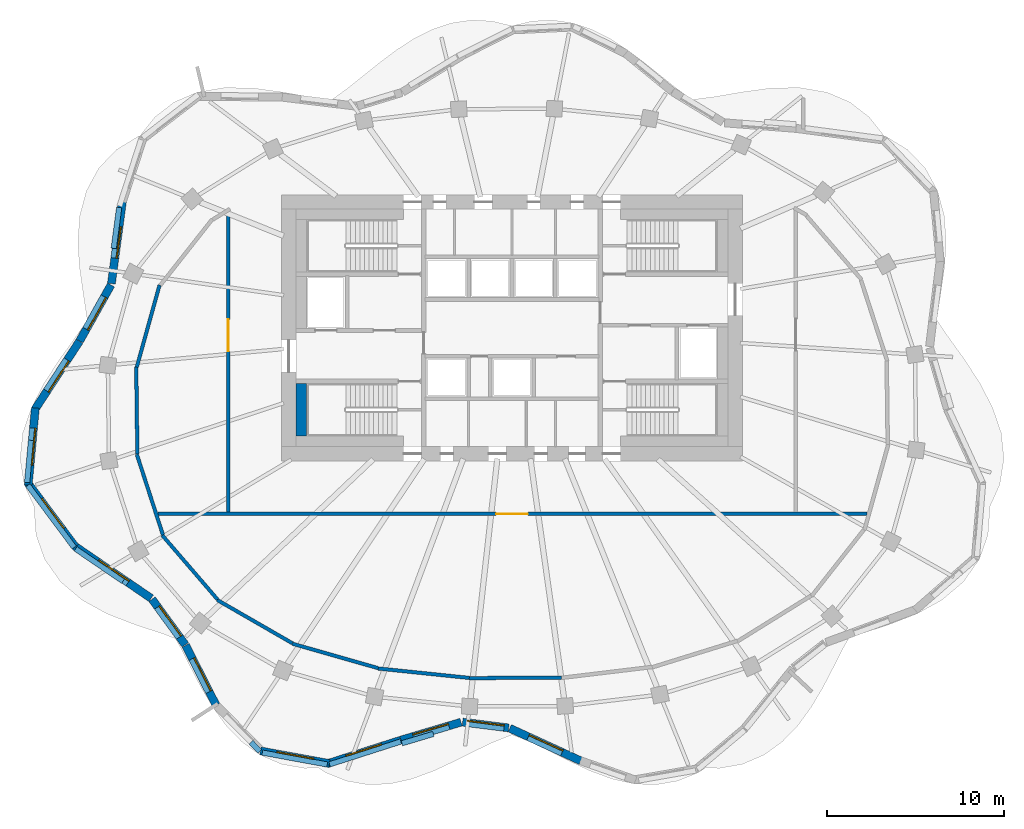
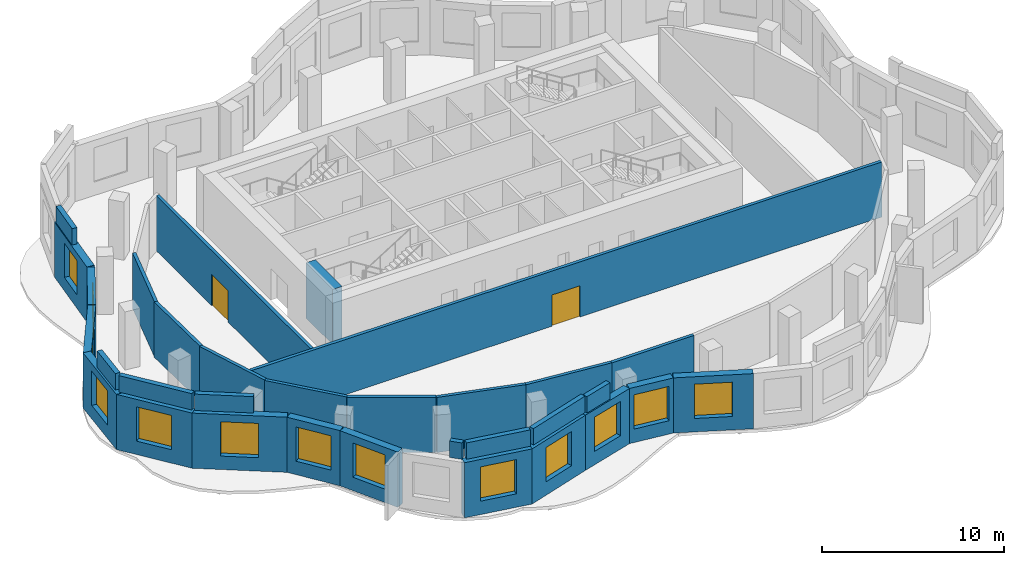
# One storey, part 3 of 8: 32 walls, 13 windows, 2 doors, 15 openings.
"""IFC4 building model written with IfcOpenShell, lengths in metres."""

from ifc_helpers import new_model, si_unit, direction, frame, frame_2d, origin, place, context, subcontext, project, spatial, rectangle, extrude, material, layer, layer_set, type_object, element, fill, save


model = new_model("IFC4")

# Units and contexts
model_context = context("Model", 3, precision=1e-05, world=origin(), true_north=direction((0.0, 1.0)))
body_context = subcontext(model_context, "Body", "Model", "MODEL_VIEW")
ifc_project = project(units=[si_unit("LENGTHUNIT", "METRE"), si_unit("AREAUNIT", "SQUARE_METRE"), si_unit("VOLUMEUNIT", "CUBIC_METRE"), si_unit("PLANEANGLEUNIT", "RADIAN"), si_unit("MASSUNIT", "GRAM", prefix="KILO")], contexts=[model_context])

# Site, building, storey
site_placement = place(None, origin())
site = spatial("IfcSite", under=ifc_project, at=site_placement, CompositionType="ELEMENT")
building_placement = place(site_placement, origin())
building = spatial("IfcBuilding", under=site, at=building_placement, Name="Rubra Terraces Tower", CompositionType="ELEMENT")
storey_placement = place(building_placement, frame((0.0, 0.0, 280.5)))
storey = spatial("IfcBuildingStorey", under=building, at=storey_placement, Name="L69", CompositionType="ELEMENT", Elevation=280.5)

# Wall, opening, window
ifc_material_1 = material(Name="Brick masonry red-brown", Category="masonry")
ifc_layer_1 = layer(ifc_material_1, 0.449951171875)
ifc_layer_set_1 = layer_set([ifc_layer_1], Name="Brick masonry red-brown")
wall_type_1 = type_object("IfcWallType", Name="Brick facade wall 450", PredefinedType="SOLIDWALL", material=ifc_layer_set_1)
wall_1_placement = place(storey_placement, frame((-21.97705078125, 11.652099609375, 0.0), z_axis=(0.0, 0.0, 1.0), x_axis=(-0.132606175271, -0.991168806148, 0.0)))
wall_1 = element("IfcWall", 1, at=wall_1_placement, inside=storey, type_object=wall_type_1, Name="Facade wall L69 bay 18", PredefinedType="SOLIDWALL", context=body_context, shape_type="SweptSolid", body=[
    extrude(rectangle(XDim=4.698486328125, YDim=0.449951171875, at=frame_2d((2.34912109375, 0.0))), origin(), (0.0, 0.0, 1.0), 3.699951171875),
])
opening_1_placement = place(wall_1_placement, frame((1.44921875, 0.0, 0.89990234375)))
opening_1 = element("IfcOpeningElement", 2, at=opening_1_placement, cuts=wall_1, Name="Opening W6B", PredefinedType="OPENING", context=body_context, shape_type="SweptSolid", body=[
    extrude(rectangle(XDim=1.800048828125, YDim=2.300048828125, at=frame_2d((0.89990234375, 1.14990234375))), frame((0.0, 0.23486328125, 0.0), z_axis=(0.0, -1.0, 0.0), x_axis=(1.0, 0.0, 0.0)), (0.0, 0.0, 1.0), 0.469970703125),
])
ifc_material_2 = material(Name="Clear glass in aluminium frame", Category="aluminium")
window_type_1 = type_object("IfcWindowType", Name="Fixed deep-set window at wind fin tall storey 1800 x 2300", PartitioningType="SINGLE_PANEL", PredefinedType="WINDOW", material=ifc_material_2)
window_1_placement = place(opening_1_placement, origin())
window_1 = element("IfcWindow", 3, at=window_1_placement, inside=storey, type_object=window_type_1, Name="Window L69 bay 18", OverallHeight=2.300048828125, OverallWidth=1.800048828125, PartitioningType="SINGLE_PANEL", PredefinedType="WINDOW", context=body_context, shape_type="SweptSolid", body=[
    extrude(rectangle(XDim=1.800048828125, YDim=2.300048828125, at=frame_2d((0.89990234375, 1.14990234375))), frame((0.0, 0.135009765625, 0.0), z_axis=(0.0, -1.0, 0.0), x_axis=(1.0, 0.0, 0.0)), (0.0, 0.0, 1.0), 0.06005859375),
])
fill(opening_1, window_1)

wall_2_placement = place(storey_placement, frame((-22.623779296875, 6.920166015625, 0.0), z_axis=(0.0, 0.0, 1.0), x_axis=(-0.488352973107, -0.872646190422, 0.0)))
wall_2 = element("IfcWall", 4, at=wall_2_placement, inside=storey, type_object=wall_type_1, Name="Facade wall L69 bay 19", PredefinedType="SOLIDWALL", context=body_context, shape_type="SweptSolid", body=[
    extrude(rectangle(XDim=3.62255859375, YDim=0.449951171875, at=frame_2d((1.811279296875, 0.0))), origin(), (0.0, 0.0, 1.0), 3.699951171875),
])
opening_2_placement = place(wall_2_placement, frame((0.760986328125, 0.0, 0.89990234375)))
opening_2 = element("IfcOpeningElement", 5, at=opening_2_placement, cuts=wall_2, Name="Opening W1B", PredefinedType="OPENING", context=body_context, shape_type="SweptSolid", body=[
    extrude(rectangle(XDim=2.10009765625, YDim=2.300048828125, at=frame_2d((1.050048828125, 1.14990234375))), frame((0.0, 0.23486328125, 0.0), z_axis=(0.0, -1.0, 0.0), x_axis=(1.0, 0.0, 0.0)), (0.0, 0.0, 1.0), 0.469970703125),
])
window_type_2 = type_object("IfcWindowType", Name="Fixed deep-set window tall storey 2100 x 2300", PartitioningType="SINGLE_PANEL", PredefinedType="WINDOW", material=ifc_material_2)
window_2_placement = place(opening_2_placement, origin())
window_2 = element("IfcWindow", 6, at=window_2_placement, inside=storey, type_object=window_type_2, Name="Window L69 bay 19", OverallHeight=2.300048828125, OverallWidth=2.10009765625, PartitioningType="SINGLE_PANEL", PredefinedType="WINDOW", context=body_context, shape_type="SweptSolid", body=[
    extrude(rectangle(XDim=2.10009765625, YDim=2.300048828125, at=frame_2d((1.050048828125, 1.14990234375))), frame((0.0, 0.135009765625, 0.0), z_axis=(0.0, -1.0, 0.0), x_axis=(1.0, 0.0, 0.0)), (0.0, 0.0, 1.0), 0.06005859375),
])
fill(opening_2, window_2)

wall_3_placement = place(storey_placement, frame((-24.401123046875, 3.74462890625, 0.0), z_axis=(0.0, 0.0, 1.0), x_axis=(-0.547072638725, -0.837085137819, 0.0)))
wall_3 = element("IfcWall", 7, at=wall_3_placement, inside=storey, type_object=wall_type_1, Name="Facade wall L69 bay 20", PredefinedType="SOLIDWALL", context=body_context, shape_type="SweptSolid", body=[
    extrude(rectangle(XDim=4.61572265625, YDim=0.449951171875, at=frame_2d((2.307861328125, 0.0))), origin(), (0.0, 0.0, 1.0), 3.699951171875),
])
opening_3_placement = place(wall_3_placement, frame((1.2578125, 0.0, 0.89990234375)))
opening_3 = element("IfcOpeningElement", 8, at=opening_3_placement, cuts=wall_3, Name="Opening W1B", PredefinedType="OPENING", context=body_context, shape_type="SweptSolid", body=[
    extrude(rectangle(XDim=2.10009765625, YDim=2.300048828125, at=frame_2d((1.050048828125, 1.14990234375))), frame((0.0, 0.23486328125, 0.0), z_axis=(0.0, -1.0, 0.0), x_axis=(1.0, 0.0, 0.0)), (0.0, 0.0, 1.0), 0.469970703125),
])
window_3_placement = place(opening_3_placement, origin())
window_3 = element("IfcWindow", 9, at=window_3_placement, inside=storey, type_object=window_type_2, Name="Window L69 bay 20", OverallHeight=2.300048828125, OverallWidth=2.10009765625, PartitioningType="SINGLE_PANEL", PredefinedType="WINDOW", context=body_context, shape_type="SweptSolid", body=[
    extrude(rectangle(XDim=2.10009765625, YDim=2.300048828125, at=frame_2d((1.050048828125, 1.14990234375))), frame((0.0, 0.135009765625, 0.0), z_axis=(0.0, -1.0, 0.0), x_axis=(1.0, 0.0, 0.0)), (0.0, 0.0, 1.0), 0.06005859375),
])
fill(opening_3, window_3)

wall_4_placement = place(storey_placement, frame((-26.892822265625, -0.020751953125, 0.0), z_axis=(0.0, 0.0, 1.0), x_axis=(-0.092079421996, -0.995751665851, 0.0)))
wall_4 = element("IfcWall", 10, at=wall_4_placement, inside=storey, type_object=wall_type_1, Name="Facade wall L69 bay 21", PredefinedType="SOLIDWALL", context=body_context, shape_type="SweptSolid", body=[
    extrude(rectangle(XDim=4.37744140625, YDim=0.449951171875, at=frame_2d((2.188720703125, 0.0))), origin(), (0.0, 0.0, 1.0), 3.699951171875),
])
opening_4_placement = place(wall_4_placement, frame((1.138916015625, 0.0, 0.89990234375)))
opening_4 = element("IfcOpeningElement", 11, at=opening_4_placement, cuts=wall_4, Name="Opening W1B", PredefinedType="OPENING", context=body_context, shape_type="SweptSolid", body=[
    extrude(rectangle(XDim=2.10009765625, YDim=2.300048828125, at=frame_2d((1.050048828125, 1.14990234375))), frame((0.0, 0.23486328125, 0.0), z_axis=(0.0, -1.0, 0.0), x_axis=(1.0, 0.0, 0.0)), (0.0, 0.0, 1.0), 0.469970703125),
])
window_4_placement = place(opening_4_placement, origin())
window_4 = element("IfcWindow", 12, at=window_4_placement, inside=storey, type_object=window_type_2, Name="Window L69 bay 21", OverallHeight=2.300048828125, OverallWidth=2.10009765625, PartitioningType="SINGLE_PANEL", PredefinedType="WINDOW", context=body_context, shape_type="SweptSolid", body=[
    extrude(rectangle(XDim=2.10009765625, YDim=2.300048828125, at=frame_2d((1.050048828125, 1.14990234375))), frame((0.0, 0.135009765625, 0.0), z_axis=(0.0, -1.0, 0.0), x_axis=(1.0, 0.0, 0.0)), (0.0, 0.0, 1.0), 0.06005859375),
])
fill(opening_4, window_4)

wall_5_placement = place(storey_placement, frame((-27.339599609375, -4.224609375, 0.0), z_axis=(0.0, 0.0, 1.0), x_axis=(0.597544608195, -0.801835669709, 0.0)))
wall_5 = element("IfcWall", 13, at=wall_5_placement, inside=storey, type_object=wall_type_1, Name="Facade wall L69 bay 22", PredefinedType="SOLIDWALL", context=body_context, shape_type="SweptSolid", body=[
    extrude(rectangle(XDim=4.523193359375, YDim=0.449951171875, at=frame_2d((2.26171875, 0.0))), origin(), (0.0, 0.0, 1.0), 3.699951171875),
])
opening_5_placement = place(wall_5_placement, frame((1.211669921875, 0.0, 0.89990234375)))
opening_5 = element("IfcOpeningElement", 14, at=opening_5_placement, cuts=wall_5, Name="Opening W1B", PredefinedType="OPENING", context=body_context, shape_type="SweptSolid", body=[
    extrude(rectangle(XDim=2.10009765625, YDim=2.300048828125, at=frame_2d((1.050048828125, 1.14990234375))), frame((0.0, 0.23486328125, 0.0), z_axis=(0.0, -1.0, 0.0), x_axis=(1.0, 0.0, 0.0)), (0.0, 0.0, 1.0), 0.469970703125),
])
window_5_placement = place(opening_5_placement, origin())
window_5 = element("IfcWindow", 15, at=window_5_placement, inside=storey, type_object=window_type_2, Name="Window L69 bay 22", OverallHeight=2.300048828125, OverallWidth=2.10009765625, PartitioningType="SINGLE_PANEL", PredefinedType="WINDOW", context=body_context, shape_type="SweptSolid", body=[
    extrude(rectangle(XDim=2.10009765625, YDim=2.300048828125, at=frame_2d((1.050048828125, 1.14990234375))), frame((0.0, 0.135009765625, 0.0), z_axis=(0.0, -1.0, 0.0), x_axis=(1.0, 0.0, 0.0)), (0.0, 0.0, 1.0), 0.06005859375),
])
fill(opening_5, window_5)

wall_6_placement = place(storey_placement, frame((-24.690185546875, -7.80029296875, 0.0), z_axis=(0.0, 0.0, 1.0), x_axis=(0.825631274437, -0.564210066085, 0.0)))
wall_6 = element("IfcWall", 16, at=wall_6_placement, inside=storey, type_object=wall_type_1, Name="Facade wall L69 bay 23", PredefinedType="SOLIDWALL", context=body_context, shape_type="SweptSolid", body=[
    extrude(rectangle(XDim=5.24658203125, YDim=0.449951171875, at=frame_2d((2.623291015625, 0.0))), origin(), (0.0, 0.0, 1.0), 3.699951171875),
])
opening_6_placement = place(wall_6_placement, frame((1.573486328125, 0.0, 0.89990234375)))
opening_6 = element("IfcOpeningElement", 17, at=opening_6_placement, cuts=wall_6, Name="Opening W1B", PredefinedType="OPENING", context=body_context, shape_type="SweptSolid", body=[
    extrude(rectangle(XDim=2.10009765625, YDim=2.300048828125, at=frame_2d((1.050048828125, 1.14990234375))), frame((0.0, 0.23486328125, 0.0), z_axis=(0.0, -1.0, 0.0), x_axis=(1.0, 0.0, 0.0)), (0.0, 0.0, 1.0), 0.469970703125),
])
window_6_placement = place(opening_6_placement, origin())
window_6 = element("IfcWindow", 18, at=window_6_placement, inside=storey, type_object=window_type_2, Name="Window L69 bay 23", OverallHeight=2.300048828125, OverallWidth=2.10009765625, PartitioningType="SINGLE_PANEL", PredefinedType="WINDOW", context=body_context, shape_type="SweptSolid", body=[
    extrude(rectangle(XDim=2.10009765625, YDim=2.300048828125, at=frame_2d((1.050048828125, 1.14990234375))), frame((0.0, 0.135009765625, 0.0), z_axis=(0.0, -1.0, 0.0), x_axis=(1.0, 0.0, 0.0)), (0.0, 0.0, 1.0), 0.06005859375),
])
fill(opening_6, window_6)

wall_7_placement = place(storey_placement, frame((-20.307373046875, -10.808349609375, 0.0), z_axis=(0.0, 0.0, 1.0), x_axis=(0.588623179346, -0.808407541242, 0.0)))
wall_7 = element("IfcWall", 19, at=wall_7_placement, inside=storey, type_object=wall_type_1, Name="Facade wall L69 bay 24", PredefinedType="SOLIDWALL", context=body_context, shape_type="SweptSolid", body=[
    extrude(rectangle(XDim=3.1826171875, YDim=0.449951171875, at=frame_2d((1.59130859375, 0.0))), origin(), (0.0, 0.0, 1.0), 3.699951171875),
])
opening_7_placement = place(wall_7_placement, frame((0.541259765625, 0.0, 0.89990234375)))
opening_7 = element("IfcOpeningElement", 20, at=opening_7_placement, cuts=wall_7, Name="Opening W1B", PredefinedType="OPENING", context=body_context, shape_type="SweptSolid", body=[
    extrude(rectangle(XDim=2.10009765625, YDim=2.300048828125, at=frame_2d((1.050048828125, 1.14990234375))), frame((0.0, 0.23486328125, 0.0), z_axis=(0.0, -1.0, 0.0), x_axis=(1.0, 0.0, 0.0)), (0.0, 0.0, 1.0), 0.469970703125),
])
window_7_placement = place(opening_7_placement, origin())
window_7 = element("IfcWindow", 21, at=window_7_placement, inside=storey, type_object=window_type_2, Name="Window L69 bay 24", OverallHeight=2.300048828125, OverallWidth=2.10009765625, PartitioningType="SINGLE_PANEL", PredefinedType="WINDOW", context=body_context, shape_type="SweptSolid", body=[
    extrude(rectangle(XDim=2.10009765625, YDim=2.300048828125, at=frame_2d((1.050048828125, 1.14990234375))), frame((0.0, 0.135009765625, 0.0), z_axis=(0.0, -1.0, 0.0), x_axis=(1.0, 0.0, 0.0)), (0.0, 0.0, 1.0), 0.06005859375),
])
fill(opening_7, window_7)

wall_8_placement = place(storey_placement, frame((-18.4140625, -13.412109375, 0.0), z_axis=(0.0, 0.0, 1.0), x_axis=(0.453339558905, -0.891337895712, 0.0)))
wall_8 = element("IfcWall", 22, at=wall_8_placement, inside=storey, type_object=wall_type_1, Name="Facade wall L69 bay 25", PredefinedType="SOLIDWALL", context=body_context, shape_type="SweptSolid", body=[
    extrude(rectangle(XDim=3.78759765625, YDim=0.449951171875, at=frame_2d((1.893798828125, 0.0))), origin(), (0.0, 0.0, 1.0), 3.699951171875),
])
opening_8_placement = place(wall_8_placement, frame((0.843994140625, 0.0, 0.89990234375)))
opening_8 = element("IfcOpeningElement", 23, at=opening_8_placement, cuts=wall_8, Name="Opening W1B", PredefinedType="OPENING", context=body_context, shape_type="SweptSolid", body=[
    extrude(rectangle(XDim=2.10009765625, YDim=2.300048828125, at=frame_2d((1.050048828125, 1.14990234375))), frame((0.0, 0.23486328125, 0.0), z_axis=(0.0, -1.0, 0.0), x_axis=(1.0, 0.0, 0.0)), (0.0, 0.0, 1.0), 0.469970703125),
])
window_8_placement = place(opening_8_placement, origin())
window_8 = element("IfcWindow", 24, at=window_8_placement, inside=storey, type_object=window_type_2, Name="Window L69 bay 25", OverallHeight=2.300048828125, OverallWidth=2.10009765625, PartitioningType="SINGLE_PANEL", PredefinedType="WINDOW", context=body_context, shape_type="SweptSolid", body=[
    extrude(rectangle(XDim=2.10009765625, YDim=2.300048828125, at=frame_2d((1.050048828125, 1.14990234375))), frame((0.0, 0.135009765625, 0.0), z_axis=(0.0, -1.0, 0.0), x_axis=(1.0, 0.0, 0.0)), (0.0, 0.0, 1.0), 0.06005859375),
])
fill(opening_8, window_8)

wall_9_placement = place(storey_placement, frame((-14.193603515625, -19.36962890625, 0.0), z_axis=(0.0, 0.0, 1.0), x_axis=(0.983644868335, -0.180118774698, 0.0)))
wall_9 = element("IfcWall", 25, at=wall_9_placement, inside=storey, type_object=wall_type_1, Name="Facade wall L69 bay 27", PredefinedType="SOLIDWALL", context=body_context, shape_type="SweptSolid", body=[
    extrude(rectangle(XDim=3.953857421875, YDim=0.449951171875, at=frame_2d((1.97705078125, 0.0))), origin(), (0.0, 0.0, 1.0), 3.699951171875),
])
opening_9_placement = place(wall_9_placement, frame((0.9267578125, 0.0, 0.89990234375)))
opening_9 = element("IfcOpeningElement", 26, at=opening_9_placement, cuts=wall_9, Name="Opening W1B", PredefinedType="OPENING", context=body_context, shape_type="SweptSolid", body=[
    extrude(rectangle(XDim=2.10009765625, YDim=2.300048828125, at=frame_2d((1.050048828125, 1.14990234375))), frame((0.0, 0.23486328125, 0.0), z_axis=(0.0, -1.0, 0.0), x_axis=(1.0, 0.0, 0.0)), (0.0, 0.0, 1.0), 0.469970703125),
])
window_9_placement = place(opening_9_placement, origin())
window_9 = element("IfcWindow", 27, at=window_9_placement, inside=storey, type_object=window_type_2, Name="Window L69 bay 27", OverallHeight=2.300048828125, OverallWidth=2.10009765625, PartitioningType="SINGLE_PANEL", PredefinedType="WINDOW", context=body_context, shape_type="SweptSolid", body=[
    extrude(rectangle(XDim=2.10009765625, YDim=2.300048828125, at=frame_2d((1.050048828125, 1.14990234375))), frame((0.0, 0.135009765625, 0.0), z_axis=(0.0, -1.0, 0.0), x_axis=(1.0, 0.0, 0.0)), (0.0, 0.0, 1.0), 0.06005859375),
])
fill(opening_9, window_9)

wall_10_placement = place(storey_placement, frame((-10.410888671875, -20.087890625, 0.0), z_axis=(0.0, 0.0, 1.0), x_axis=(0.952259303219, 0.305290385423, 0.0)))
wall_10 = element("IfcWall", 28, at=wall_10_placement, inside=storey, type_object=wall_type_1, Name="Facade wall L69 bay 28", PredefinedType="SOLIDWALL", context=body_context, shape_type="SweptSolid", body=[
    extrude(rectangle(XDim=4.354248046875, YDim=0.449951171875, at=frame_2d((2.17724609375, 0.0))), origin(), (0.0, 0.0, 1.0), 3.699951171875),
])
opening_10_placement = place(wall_10_placement, frame((1.127197265625, 0.0, 0.89990234375)))
opening_10 = element("IfcOpeningElement", 29, at=opening_10_placement, cuts=wall_10, Name="Opening W1B", PredefinedType="OPENING", context=body_context, shape_type="SweptSolid", body=[
    extrude(rectangle(XDim=2.10009765625, YDim=2.300048828125, at=frame_2d((1.050048828125, 1.14990234375))), frame((0.0, 0.23486328125, 0.0), z_axis=(0.0, -1.0, 0.0), x_axis=(1.0, 0.0, 0.0)), (0.0, 0.0, 1.0), 0.469970703125),
])
window_10_placement = place(opening_10_placement, origin())
window_10 = element("IfcWindow", 30, at=window_10_placement, inside=storey, type_object=window_type_2, Name="Window L69 bay 28", OverallHeight=2.300048828125, OverallWidth=2.10009765625, PartitioningType="SINGLE_PANEL", PredefinedType="WINDOW", context=body_context, shape_type="SweptSolid", body=[
    extrude(rectangle(XDim=2.10009765625, YDim=2.300048828125, at=frame_2d((1.050048828125, 1.14990234375))), frame((0.0, 0.135009765625, 0.0), z_axis=(0.0, -1.0, 0.0), x_axis=(1.0, 0.0, 0.0)), (0.0, 0.0, 1.0), 0.06005859375),
])
fill(opening_10, window_10)

wall_11_placement = place(storey_placement, frame((-6.25927734375, -18.757080078125, 0.0), z_axis=(0.0, 0.0, 1.0), x_axis=(0.958402993098, 0.285418469658, 0.0)))
wall_11 = element("IfcWall", 31, at=wall_11_placement, inside=storey, type_object=wall_type_1, Name="Facade wall L69 bay 29", PredefinedType="SOLIDWALL", context=body_context, shape_type="SweptSolid", body=[
    extrude(rectangle(XDim=3.530029296875, YDim=0.449951171875, at=frame_2d((1.76513671875, 0.0))), origin(), (0.0, 0.0, 1.0), 3.699951171875),
])
opening_11_placement = place(wall_11_placement, frame((0.715087890625, 0.0, 0.89990234375)))
opening_11 = element("IfcOpeningElement", 32, at=opening_11_placement, cuts=wall_11, Name="Opening W1B", PredefinedType="OPENING", context=body_context, shape_type="SweptSolid", body=[
    extrude(rectangle(XDim=2.10009765625, YDim=2.300048828125, at=frame_2d((1.050048828125, 1.14990234375))), frame((0.0, 0.23486328125, 0.0), z_axis=(0.0, -1.0, 0.0), x_axis=(1.0, 0.0, 0.0)), (0.0, 0.0, 1.0), 0.469970703125),
])
window_11_placement = place(opening_11_placement, origin())
window_11 = element("IfcWindow", 33, at=window_11_placement, inside=storey, type_object=window_type_2, Name="Window L69 bay 29", OverallHeight=2.300048828125, OverallWidth=2.10009765625, PartitioningType="SINGLE_PANEL", PredefinedType="WINDOW", context=body_context, shape_type="SweptSolid", body=[
    extrude(rectangle(XDim=2.10009765625, YDim=2.300048828125, at=frame_2d((1.050048828125, 1.14990234375))), frame((0.0, 0.135009765625, 0.0), z_axis=(0.0, -1.0, 0.0), x_axis=(1.0, 0.0, 0.0)), (0.0, 0.0, 1.0), 0.06005859375),
])
fill(opening_11, window_11)

wall_12_placement = place(storey_placement, frame((-2.786865234375, -17.7431640625, 0.0), z_axis=(0.0, 0.0, 1.0), x_axis=(0.992082884112, -0.125584836078, 0.0)))
wall_12 = element("IfcWall", 34, at=wall_12_placement, inside=storey, type_object=wall_type_1, Name="Facade wall L69 bay 30", PredefinedType="SOLIDWALL", context=body_context, shape_type="SweptSolid", body=[
    extrude(rectangle(XDim=2.61669921875, YDim=0.449951171875, at=frame_2d((1.308349609375, 0.0))), origin(), (0.0, 0.0, 1.0), 3.699951171875),
])
opening_12_placement = place(wall_12_placement, frame((0.25830078125, 0.0, 0.89990234375)))
opening_12 = element("IfcOpeningElement", 35, at=opening_12_placement, cuts=wall_12, Name="Opening W1B", PredefinedType="OPENING", context=body_context, shape_type="SweptSolid", body=[
    extrude(rectangle(XDim=2.10009765625, YDim=2.300048828125, at=frame_2d((1.050048828125, 1.14990234375))), frame((0.0, 0.23486328125, 0.0), z_axis=(0.0, -1.0, 0.0), x_axis=(1.0, 0.0, 0.0)), (0.0, 0.0, 1.0), 0.469970703125),
])
window_12_placement = place(opening_12_placement, origin())
window_12 = element("IfcWindow", 36, at=window_12_placement, inside=storey, type_object=window_type_2, Name="Window L69 bay 30", OverallHeight=2.300048828125, OverallWidth=2.10009765625, PartitioningType="SINGLE_PANEL", PredefinedType="WINDOW", context=body_context, shape_type="SweptSolid", body=[
    extrude(rectangle(XDim=2.10009765625, YDim=2.300048828125, at=frame_2d((1.050048828125, 1.14990234375))), frame((0.0, 0.135009765625, 0.0), z_axis=(0.0, -1.0, 0.0), x_axis=(1.0, 0.0, 0.0)), (0.0, 0.0, 1.0), 0.06005859375),
])
fill(opening_12, window_12)

wall_13_placement = place(storey_placement, frame((-0.125, -18.090576171875, 0.0), z_axis=(0.0, 0.0, 1.0), x_axis=(0.908677980036, -0.417497698912, 0.0)))
wall_13 = element("IfcWall", 37, at=wall_13_placement, inside=storey, type_object=wall_type_1, Name="Facade wall L69 bay 31", PredefinedType="SOLIDWALL", context=body_context, shape_type="SweptSolid", body=[
    extrude(rectangle(XDim=4.40673828125, YDim=0.449951171875, at=frame_2d((2.203369140625, 0.0))), origin(), (0.0, 0.0, 1.0), 3.699951171875),
])
opening_13_placement = place(wall_13_placement, frame((1.153564453125, 0.0, 0.89990234375)))
opening_13 = element("IfcOpeningElement", 38, at=opening_13_placement, cuts=wall_13, Name="Opening W1B", PredefinedType="OPENING", context=body_context, shape_type="SweptSolid", body=[
    extrude(rectangle(XDim=2.10009765625, YDim=2.300048828125, at=frame_2d((1.050048828125, 1.14990234375))), frame((0.0, 0.23486328125, 0.0), z_axis=(0.0, -1.0, 0.0), x_axis=(1.0, 0.0, 0.0)), (0.0, 0.0, 1.0), 0.469970703125),
])
window_13_placement = place(opening_13_placement, origin())
window_13 = element("IfcWindow", 39, at=window_13_placement, inside=storey, type_object=window_type_2, Name="Window L69 bay 31", OverallHeight=2.300048828125, OverallWidth=2.10009765625, PartitioningType="SINGLE_PANEL", PredefinedType="WINDOW", context=body_context, shape_type="SweptSolid", body=[
    extrude(rectangle(XDim=2.10009765625, YDim=2.300048828125, at=frame_2d((1.050048828125, 1.14990234375))), frame((0.0, 0.135009765625, 0.0), z_axis=(0.0, -1.0, 0.0), x_axis=(1.0, 0.0, 0.0)), (0.0, 0.0, 1.0), 0.06005859375),
])
fill(opening_13, window_13)

# Walls
ifc_layer_2 = layer(ifc_material_1, 0.300048828125)
ifc_layer_set_2 = layer_set([ifc_layer_2], Name="Brick masonry red-brown")
wall_type_2 = type_object("IfcWallType", Name="Brick parapet 300", PredefinedType="PARAPET", material=ifc_layer_set_2)
wall_14_placement = place(storey_placement, frame((-22.161865234375, 11.28759765625, 3.89990234375), z_axis=(0.0, 0.0, 1.0), x_axis=(-0.132583148979, -0.991171886509, 0.0)))
element("IfcWall", 40, at=wall_14_placement, inside=storey, type_object=wall_type_2, Name="Parapet L69 bay 18", PredefinedType="PARAPET", context=body_context, shape_type="SweptSolid", body=[
    extrude(rectangle(XDim=2.32568359375, YDim=0.300048828125, at=frame_2d((1.162841796875, 0.0))), origin(), (0.0, 0.0, 1.0), 1.10009765625),
])
wall_15_placement = place(storey_placement, frame((-27.136962890625, -1.84423828125, 3.89990234375), z_axis=(0.0, 0.0, 1.0), x_axis=(-0.09207090573, -0.995752453333, 0.0)))
element("IfcWall", 41, at=wall_15_placement, inside=storey, type_object=wall_type_2, Name="Parapet L69 bay 21", PredefinedType="PARAPET", context=body_context, shape_type="SweptSolid", body=[
    extrude(rectangle(XDim=2.39453125, YDim=0.300048828125, at=frame_2d((1.197265625, 0.0))), origin(), (0.0, 0.0, 1.0), 1.10009765625),
])
wall_16_placement = place(storey_placement, frame((-27.31298828125, -4.3857421875, 3.89990234375), z_axis=(0.0, 0.0, 1.0), x_axis=(0.59755096896, -0.801830929495, 0.0)))
element("IfcWall", 42, at=wall_16_placement, inside=storey, type_object=wall_type_2, Name="Parapet L69 bay 22", PredefinedType="PARAPET", context=body_context, shape_type="SweptSolid", body=[
    extrude(rectangle(XDim=4.375244140625, YDim=0.300048828125, at=frame_2d((2.1875, 0.0))), origin(), (0.0, 0.0, 1.0), 1.10009765625),
])
wall_17_placement = place(storey_placement, frame((-24.620361328125, -7.96923828125, 3.89990234375), z_axis=(0.0, 0.0, 1.0), x_axis=(0.825656338645, -0.564173386872, 0.0)))
element("IfcWall", 43, at=wall_17_placement, inside=storey, type_object=wall_type_2, Name="Parapet L69 bay 23", PredefinedType="PARAPET", context=body_context, shape_type="SweptSolid", body=[
    extrude(rectangle(XDim=3.24072265625, YDim=0.300048828125, at=frame_2d((1.620361328125, 0.0))), origin(), (0.0, 0.0, 1.0), 1.10009765625),
])
wall_18_placement = place(storey_placement, frame((-14.719482421875, -18.885498046875, 3.89990234375), z_axis=(0.0, 0.0, 1.0), x_axis=(0.702333802144, -0.711847757857, 0.0)))
element("IfcWall", 44, at=wall_18_placement, inside=storey, type_object=wall_type_2, Name="Parapet L69 bay 26", PredefinedType="PARAPET", context=body_context, shape_type="SweptSolid", body=[
    extrude(rectangle(XDim=0.718505859375, YDim=0.300048828125, at=frame_2d((0.359375, 0.0))), origin(), (0.0, 0.0, 1.0), 1.10009765625),
])
wall_19_placement = place(storey_placement, frame((-14.08447265625, -19.4658203125, 3.89990234375), z_axis=(0.0, 0.0, 1.0), x_axis=(0.983649941349, -0.180091068307, 0.0)))
element("IfcWall", 45, at=wall_19_placement, inside=storey, type_object=wall_type_2, Name="Parapet L69 bay 27", PredefinedType="PARAPET", context=body_context, shape_type="SweptSolid", body=[
    extrude(rectangle(XDim=3.723876953125, YDim=0.300048828125, at=frame_2d((1.86181640625, 0.0))), origin(), (0.0, 0.0, 1.0), 1.10009765625),
])
wall_20_placement = place(storey_placement, frame((-10.29052734375, -20.1279296875, 3.89990234375), z_axis=(0.0, 0.0, 1.0), x_axis=(0.95227021617, 0.305256343745, 0.0)))
element("IfcWall", 46, at=wall_20_placement, inside=storey, type_object=wall_type_2, Name="Parapet L69 bay 28", PredefinedType="PARAPET", context=body_context, shape_type="SweptSolid", body=[
    extrude(rectangle(XDim=4.220458984375, YDim=0.300048828125, at=frame_2d((2.1103515625, 0.0))), origin(), (0.0, 0.0, 1.0), 1.10009765625),
])
wall_21_placement = place(storey_placement, frame((-6.2080078125, -18.939697265625, 3.89990234375), z_axis=(0.0, 0.0, 1.0), x_axis=(0.958406458316, 0.285406833587, 0.0)))
element("IfcWall", 47, at=wall_21_placement, inside=storey, type_object=wall_type_2, Name="Parapet L69 bay 29", PredefinedType="PARAPET", context=body_context, shape_type="SweptSolid", body=[
    extrude(rectangle(XDim=1.846923828125, YDim=0.300048828125, at=frame_2d((0.92333984375, 0.0))), origin(), (0.0, 0.0, 1.0), 1.10009765625),
])
ifc_material_3 = material(Name="Concrete C40", Category="concrete")
ifc_layer_3 = layer(ifc_material_3, 0.60009765625)
ifc_layer_set_3 = layer_set([ifc_layer_3], Name="Concrete C40")
wall_type_3 = type_object("IfcWallType", Name="Core lining wall 600 concrete", PredefinedType="SOLIDWALL", material=ifc_layer_set_3)
wall_22_placement = place(storey_placement, frame((-11.89990234375, -1.60009765625, 0.0), z_axis=(0.0, 0.0, 1.0), x_axis=(0.0, 1.0, 0.0)))
element("IfcWall", 48, at=wall_22_placement, inside=storey, type_object=wall_type_3, Name="CORE LINING WALL L69", PredefinedType="SOLIDWALL", context=body_context, shape_type="SweptSolid", body=[
    extrude(rectangle(XDim=2.9501953125, YDim=0.60009765625, at=frame_2d((1.47509765625, 0.0))), origin(), (0.0, 0.0, 1.0), 3.699951171875),
])
ifc_material_4 = material(Name="Blockwork", Category="masonry")
ifc_layer_4 = layer(ifc_material_4, 0.199951171875)
ifc_layer_set_4 = layer_set([ifc_layer_4], Name="Blockwork")
wall_type_4 = type_object("IfcWallType", Name="Corridor partition 200 blockwork", PredefinedType="PARTITIONING", material=ifc_layer_set_4)
wall_23_placement = place(storey_placement, frame((2.799072265625, -15.236083984375, 0.0), z_axis=(0.0, 0.0, 1.0), x_axis=(-0.9999876741, -0.004965042553, 0.0)))
element("IfcWall", 49, at=wall_23_placement, inside=storey, type_object=wall_type_4, Name="Partition wall", PredefinedType="PARTITIONING", context=body_context, shape_type="SweptSolid", body=[
    extrude(rectangle(XDim=5.212158203125, YDim=0.199951171875, at=frame_2d((2.60595703125, 0.0))), origin(), (0.0, 0.0, 1.0), 3.699951171875),
])
wall_24_placement = place(storey_placement, frame((-2.412109375, -15.251953125, 0.0), z_axis=(0.0, 0.0, 1.0), x_axis=(-0.994673915242, 0.103071830955, 0.0)))
element("IfcWall", 50, at=wall_24_placement, inside=storey, type_object=wall_type_4, Name="Partition wall", PredefinedType="PARTITIONING", context=body_context, shape_type="SweptSolid", body=[
    extrude(rectangle(XDim=5.161376953125, YDim=0.199951171875, at=frame_2d((2.58056640625, 0.0))), origin(), (0.0, 0.0, 1.0), 3.699951171875),
])
wall_25_placement = place(storey_placement, frame((-7.54296875, -14.702880859375, 0.0), z_axis=(0.0, 0.0, 1.0), x_axis=(-0.961706339668, 0.27408195169, 0.0)))
element("IfcWall", 51, at=wall_25_placement, inside=storey, type_object=wall_type_4, Name="Partition wall", PredefinedType="PARTITIONING", context=body_context, shape_type="SweptSolid", body=[
    extrude(rectangle(XDim=5.045166015625, YDim=0.199951171875, at=frame_2d((2.5224609375, 0.0))), origin(), (0.0, 0.0, 1.0), 3.699951171875),
])
wall_26_placement = place(storey_placement, frame((-12.385986328125, -13.297119140625, 0.0), z_axis=(0.0, 0.0, 1.0), x_axis=(-0.866617890559, 0.498972375751, 0.0)))
element("IfcWall", 52, at=wall_26_placement, inside=storey, type_object=wall_type_4, Name="Partition wall", PredefinedType="PARTITIONING", context=body_context, shape_type="SweptSolid", body=[
    extrude(rectangle(XDim=4.904052734375, YDim=0.199951171875, at=frame_2d((2.4521484375, 0.0))), origin(), (0.0, 0.0, 1.0), 3.699951171875),
])
wall_27_placement = place(storey_placement, frame((-16.614013671875, -10.823974609375, 0.0), z_axis=(0.0, 0.0, 1.0), x_axis=(-0.652570543166, 0.757727976382, 0.0)))
element("IfcWall", 53, at=wall_27_placement, inside=storey, type_object=wall_type_4, Name="Partition wall", PredefinedType="PARTITIONING", context=body_context, shape_type="SweptSolid", body=[
    extrude(rectangle(XDim=4.76416015625, YDim=0.199951171875, at=frame_2d((2.382080078125, 0.0))), origin(), (0.0, 0.0, 1.0), 3.699951171875),
])
wall_28_placement = place(storey_placement, frame((-19.68896484375, -7.195068359375, 0.0), z_axis=(0.0, 0.0, 1.0), x_axis=(-0.308517152125, 0.951218779695, 0.0)))
element("IfcWall", 54, at=wall_28_placement, inside=storey, type_object=wall_type_4, Name="Partition wall", PredefinedType="PARTITIONING", context=body_context, shape_type="SweptSolid", body=[
    extrude(rectangle(XDim=4.7939453125, YDim=0.199951171875, at=frame_2d((2.39697265625, 0.0))), origin(), (0.0, 0.0, 1.0), 3.699951171875),
])

# Wall, opening, door
wall_29_placement = place(storey_placement, frame((-19.97705078125, -6.0, 0.0), z_axis=(0.0, 0.0, 1.0), x_axis=(1.0, 0.0, 0.0)))
wall_29 = element("IfcWall", 55, at=wall_29_placement, inside=storey, type_object=wall_type_4, Name="Partition wall", PredefinedType="PARTITIONING", context=body_context, shape_type="SweptSolid", body=[
    extrude(rectangle(XDim=40.01513671875, YDim=0.199951171875, at=frame_2d((20.007568359375, 0.0))), origin(), (0.0, 0.0, 1.0), 3.699951171875),
])
opening_14_placement = place(wall_29_placement, frame((19.076904296875, 0.0, 0.0)))
opening_14 = element("IfcOpeningElement", 56, at=opening_14_placement, cuts=wall_29, Name="Opening DB3", PredefinedType="OPENING", context=body_context, shape_type="SweptSolid", body=[
    extrude(rectangle(XDim=1.800048828125, YDim=2.10009765625, at=frame_2d((0.89990234375, 1.050048828125))), frame((0.0, 0.10986328125, 0.0), z_axis=(0.0, -1.0, 0.0), x_axis=(1.0, 0.0, 0.0)), (0.0, 0.0, 1.0), 0.219970703125),
])
ifc_material_5 = material(Name="Painted steel", Category="steel")
door_type = type_object("IfcDoorType", Name="Door 1800x2100 double", OperationType="NOTDEFINED", PredefinedType="DOOR", material=ifc_material_5)
door_1_placement = place(opening_14_placement, origin())
door_1 = element("IfcDoor", 57, at=door_1_placement, inside=storey, type_object=door_type, Name="Refuge area door L69-01", OperationType="DOUBLE_DOOR_SINGLE_SWING", OverallHeight=2.10009765625, OverallWidth=1.800048828125, PredefinedType="DOOR", context=body_context, shape_type="SweptSolid", body=[
    extrude(rectangle(XDim=1.800048828125, YDim=2.10009765625, at=frame_2d((0.89990234375, 1.050048828125))), frame((0.0, 0.02490234375, 0.0), z_axis=(0.0, -1.0, 0.0), x_axis=(1.0, 0.0, 0.0)), (0.0, 0.0, 1.0), 0.050048828125),
])
fill(opening_14, door_1)

# Walls
wall_30_placement = place(storey_placement, frame((-21.137939453125, -2.6298828125, 0.0), z_axis=(0.0, 0.0, 1.0), x_axis=(-0.012626385888, 0.999920284012, 0.0)))
element("IfcWall", 58, at=wall_30_placement, inside=storey, type_object=wall_type_4, Name="Partition wall", PredefinedType="PARTITIONING", context=body_context, shape_type="SweptSolid", body=[
    extrude(rectangle(XDim=4.911376953125, YDim=0.199951171875, at=frame_2d((2.45556640625, 0.0))), origin(), (0.0, 0.0, 1.0), 3.699951171875),
])
wall_31_placement = place(storey_placement, frame((-21.172119140625, 2.277099609375, 0.0), z_axis=(0.0, 0.0, 1.0), x_axis=(0.267756413289, 0.963486638798, 0.0)))
element("IfcWall", 59, at=wall_31_placement, inside=storey, type_object=wall_type_4, Name="Partition wall", PredefinedType="PARTITIONING", context=body_context, shape_type="SweptSolid", body=[
    extrude(rectangle(XDim=4.810546875, YDim=0.199951171875, at=frame_2d((2.4052734375, 0.0))), origin(), (0.0, 0.0, 1.0), 3.699951171875),
])

# Wall, opening, door
wall_32_placement = place(storey_placement, frame((-16.0, 11.052978515625, 0.0), z_axis=(0.0, 0.0, 1.0), x_axis=(0.0, -1.0, 0.0)))
wall_32 = element("IfcWall", 60, at=wall_32_placement, inside=storey, type_object=wall_type_4, Name="Partition wall", PredefinedType="PARTITIONING", context=body_context, shape_type="SweptSolid", body=[
    extrude(rectangle(XDim=16.952880859375, YDim=0.199951171875, at=frame_2d((8.4765625, 0.0))), origin(), (0.0, 0.0, 1.0), 3.699951171875),
])
opening_15_placement = place(wall_32_placement, frame((6.076904296875, 0.0, 0.0)))
opening_15 = element("IfcOpeningElement", 61, at=opening_15_placement, cuts=wall_32, Name="Opening DB3", PredefinedType="OPENING", context=body_context, shape_type="SweptSolid", body=[
    extrude(rectangle(XDim=1.800048828125, YDim=2.10009765625, at=frame_2d((0.89990234375, 1.050048828125))), frame((0.0, 0.10986328125, 0.0), z_axis=(0.0, -1.0, 0.0), x_axis=(1.0, 0.0, 0.0)), (0.0, 0.0, 1.0), 0.219970703125),
])
door_2_placement = place(opening_15_placement, origin())
door_2 = element("IfcDoor", 62, at=door_2_placement, inside=storey, type_object=door_type, Name="Refuge area door L69-02", OperationType="DOUBLE_DOOR_SINGLE_SWING", OverallHeight=2.10009765625, OverallWidth=1.800048828125, PredefinedType="DOOR", context=body_context, shape_type="SweptSolid", body=[
    extrude(rectangle(XDim=1.800048828125, YDim=2.10009765625, at=frame_2d((0.89990234375, 1.050048828125))), frame((0.0, 0.02490234375, 0.0), z_axis=(0.0, -1.0, 0.0), x_axis=(1.0, 0.0, 0.0)), (0.0, 0.0, 1.0), 0.050048828125),
])
fill(opening_15, door_2)

save(model, "model.ifc")
